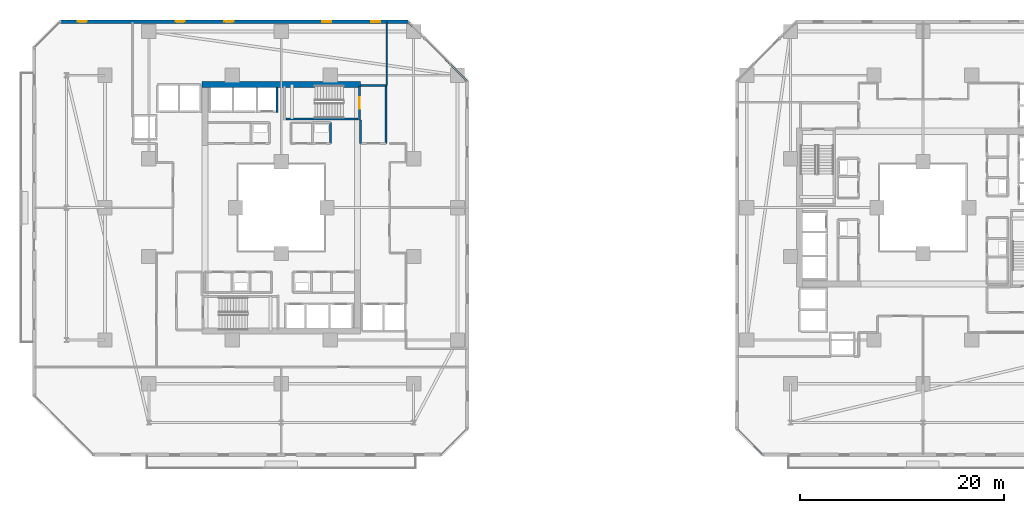
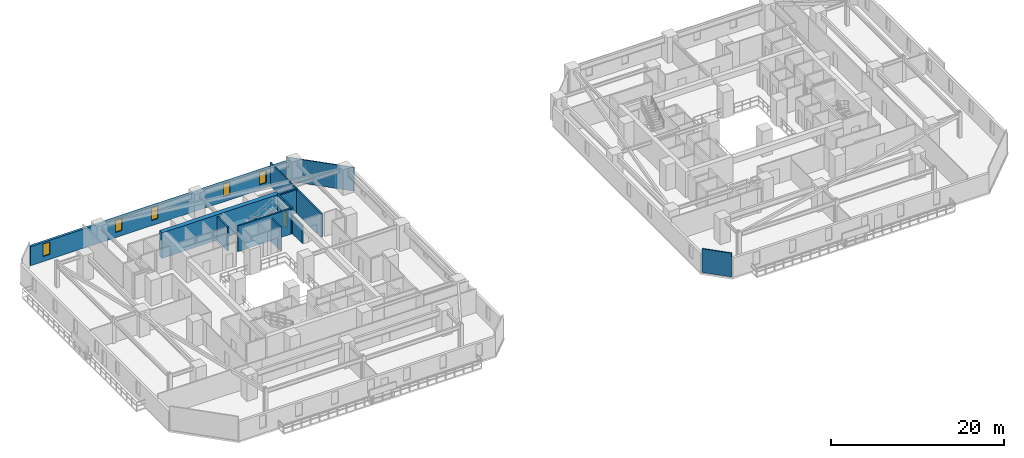
# One storey, part 21 of 33: 12 walls, 5 windows, 1 door, 6 openings.
"""IFC4 building model written with IfcOpenShell, lengths in metres."""

from ifc_helpers import new_model, si_unit, direction, frame, frame_2d, origin, place, context, subcontext, project, spatial, rectangle, extrude, material, layer, layer_set, type_object, element, fill, save


model = new_model("IFC4")

# Units and contexts
model_context = context("Model", 3, precision=1e-05, world=origin(), true_north=direction((0.0, 1.0)))
body_context = subcontext(model_context, "Body", "Model", "MODEL_VIEW")
ifc_project = project(units=[si_unit("LENGTHUNIT", "METRE"), si_unit("AREAUNIT", "SQUARE_METRE"), si_unit("VOLUMEUNIT", "CUBIC_METRE"), si_unit("PLANEANGLEUNIT", "RADIAN"), si_unit("MASSUNIT", "GRAM", prefix="KILO")], contexts=[model_context])

# Site, building, storey
site_placement = place(None, origin())
site = spatial("IfcSite", under=ifc_project, at=site_placement, CompositionType="ELEMENT")
building_placement = place(site_placement, origin())
building = spatial("IfcBuilding", under=site, at=building_placement, Name="Thornwick Lancets Civic Towers", CompositionType="ELEMENT")
storey_placement = place(building_placement, frame((0.0, 0.0, 31.5)))
storey = spatial("IfcBuildingStorey", under=building, at=storey_placement, Name="L07", CompositionType="ELEMENT", Elevation=31.5)

# Walls
ifc_material_1 = material(Name="Concrete blockwork C40/50", Category="masonry")
ifc_layer_1 = layer(ifc_material_1, 0.199951171875, Name="Concrete blockwork C40/50")
ifc_layer_set_1 = layer_set([ifc_layer_1], Name="Concrete blockwork C40/50")
wall_type_1 = type_object("IfcWallType", Name="WALL_COMP_200", PredefinedType="STANDARD", material=ifc_layer_set_1)
wall_1_placement = place(storey_placement, frame((25.10009765625, 36.35205078125, 0.0), z_axis=(0.0, 0.0, 1.0), x_axis=(0.0, 1.0, 0.0)))
element("IfcWall", 1, at=wall_1_placement, inside=storey, type_object=wall_type_1, Name="L07 Hoistway Shaft Wall FL-A2 E", PredefinedType="STANDARD", context=body_context, shape_type="SweptSolid", body=[
    extrude(rectangle(XDim=2.43603515625, YDim=0.199951171875, at=frame_2d((1.218017578125, 0.0))), origin(), (0.0, 0.0, 1.0), 3.340087890625),
])
wall_2_placement = place(storey_placement, frame((35.800048828125, 33.300048828125, 0.0), z_axis=(0.0, 0.0, 1.0), x_axis=(0.0, 1.0, 0.0)))
element("IfcWall", 2, at=wall_2_placement, inside=storey, type_object=wall_type_1, Name="L07 Partition L07-A-FFLOB2 E2", PredefinedType="STANDARD", context=body_context, shape_type="SweptSolid", body=[
    extrude(rectangle(XDim=5.699951171875, YDim=0.199951171875, at=frame_2d((2.85009765625, 0.0))), origin(), (0.0, 0.0, 1.0), 3.340087890625),
])
wall_3_placement = place(storey_placement, frame((35.800048828125, 39.0, 0.0), z_axis=(0.0, 0.0, 1.0), x_axis=(-1.0, 0.0, 0.0)))
element("IfcWall", 3, at=wall_3_placement, inside=storey, type_object=wall_type_1, Name="L07 Partition L07-A-FFLOB2 E3", PredefinedType="STANDARD", context=body_context, shape_type="SweptSolid", body=[
    extrude(rectangle(XDim=2.5, YDim=0.199951171875, at=frame_2d((1.25, 0.0))), origin(), (0.0, 0.0, 1.0), 3.340087890625),
])
wall_4_placement = place(storey_placement, frame((33.300048828125, 35.60009765625, 0.0), z_axis=(0.0, 0.0, 1.0), x_axis=(0.0, -1.0, 0.0)))
element("IfcWall", 4, at=wall_4_placement, inside=storey, type_object=wall_type_1, Name="L07 Partition L07-A-FFLOB2 E4", PredefinedType="STANDARD", context=body_context, shape_type="SweptSolid", body=[
    extrude(rectangle(XDim=2.300048828125, YDim=0.199951171875, at=frame_2d((1.14990234375, 0.0))), origin(), (0.0, 0.0, 1.0), 2.544921875),
])
wall_5_placement = place(storey_placement, frame((30.35009765625, 33.300048828125, 0.0), z_axis=(0.0, 0.0, 1.0), x_axis=(0.0, 1.0, 0.0)))
element("IfcWall", 5, at=wall_5_placement, inside=storey, type_object=wall_type_1, Name="L07 Partition L07-A-RISER2 E2", PredefinedType="STANDARD", context=body_context, shape_type="SweptSolid", body=[
    extrude(rectangle(XDim=2.050048828125, YDim=0.199951171875, at=frame_2d((1.02490234375, 0.0))), origin(), (0.0, 0.0, 1.0), 3.340087890625),
])
ifc_material_2 = material(Name="Concrete C60/75", Category="concrete")
ifc_layer_2 = layer(ifc_material_2, 0.60009765625, Name="Concrete C60/75")
ifc_layer_set_2 = layer_set([ifc_layer_2], Name="Concrete C60/75")
wall_type_2 = type_object("IfcWallType", Name="WALL_CORE_600", PredefinedType="SHEAR", material=ifc_layer_set_2)
wall_6_placement = place(storey_placement, frame((17.699951171875, 39.10009765625, 0.0), z_axis=(0.0, 0.0, 1.0), x_axis=(1.0, 0.0, 0.0)))
element("IfcWall", 6, at=wall_6_placement, inside=storey, type_object=wall_type_2, Name="L07 Split Core A2 Shear Wall N", PredefinedType="SHEAR", context=body_context, shape_type="SweptSolid", body=[
    extrude(rectangle(XDim=15.60009765625, YDim=0.60009765625, at=frame_2d((7.800048828125, 0.0))), origin(), (0.0, 0.0, 1.0), 3.60009765625),
])

# Wall, openings, windows
ifc_material_3 = material(Name="Insulated buff terracotta rainscreen on concrete C40/50", Category="masonry")
ifc_layer_3 = layer(ifc_material_3, 0.320068359375, Name="Insulated buff terracotta rainscreen on concrete C40/50")
ifc_layer_set_3 = layer_set([ifc_layer_3], Name="Insulated buff terracotta rainscreen on concrete C40/50")
wall_type_3 = type_object("IfcWallType", Name="WALL_EXT_TERRA_320", PredefinedType="STANDARD", material=ifc_layer_set_3)
wall_7_placement = place(storey_placement, frame((37.92138671875, 45.25439453125, 0.0), z_axis=(0.0, 0.0, 1.0), x_axis=(-0.999999952618, 0.000307837676, 0.0)))
wall_7 = element("IfcWall", 7, at=wall_7_placement, inside=storey, type_object=wall_type_3, Name="L07 Tower A Terracotta Facade Wall E4", PredefinedType="STANDARD", context=body_context, shape_type="SweptSolid", body=[
    extrude(rectangle(XDim=34.1025390625, YDim=0.320068359375, at=frame_2d((17.05126953125, 0.0))), origin(), (0.0, 0.0, 1.0), 2.699951171875),
])
opening_1_placement = place(wall_7_placement, frame((2.699951171875, 0.0, 0.719970703125)))
opening_1 = element("IfcOpeningElement", 8, at=opening_1_placement, cuts=wall_7, Name="Opening WL-01", PredefinedType="OPENING", context=body_context, shape_type="SweptSolid", body=[
    extrude(rectangle(XDim=0.89990234375, YDim=1.75, at=frame_2d((0.449951171875, 0.875))), frame((0.0, 0.169921875, 0.0), z_axis=(0.0, -1.0, 0.0), x_axis=(1.0, 0.0, 0.0)), (0.0, 0.0, 1.0), 0.340087890625),
])
opening_2_placement = place(wall_7_placement, frame((7.5, 0.0, 0.719970703125)))
opening_2 = element("IfcOpeningElement", 9, at=opening_2_placement, cuts=wall_7, Name="Opening WL-01", PredefinedType="OPENING", context=body_context, shape_type="SweptSolid", body=[
    extrude(rectangle(XDim=0.89990234375, YDim=1.75, at=frame_2d((0.449951171875, 0.875))), frame((0.0, 0.169921875, 0.0), z_axis=(0.0, -1.0, 0.0), x_axis=(1.0, 0.0, 0.0)), (0.0, 0.0, 1.0), 0.340087890625),
])
opening_3_placement = place(wall_7_placement, frame((17.10009765625, 0.0, 0.719970703125)))
opening_3 = element("IfcOpeningElement", 10, at=opening_3_placement, cuts=wall_7, Name="Opening WL-01", PredefinedType="OPENING", context=body_context, shape_type="SweptSolid", body=[
    extrude(rectangle(XDim=0.89990234375, YDim=1.75, at=frame_2d((0.449951171875, 0.875))), frame((0.0, 0.169921875, 0.0), z_axis=(0.0, -1.0, 0.0), x_axis=(1.0, 0.0, 0.0)), (0.0, 0.0, 1.0), 0.340087890625),
])
opening_4_placement = place(wall_7_placement, frame((21.89990234375, 0.0, 0.719970703125)))
opening_4 = element("IfcOpeningElement", 11, at=opening_4_placement, cuts=wall_7, Name="Opening WL-01", PredefinedType="OPENING", context=body_context, shape_type="SweptSolid", body=[
    extrude(rectangle(XDim=0.89990234375, YDim=1.75, at=frame_2d((0.449951171875, 0.875))), frame((0.0, 0.169921875, 0.0), z_axis=(0.0, -1.0, 0.0), x_axis=(1.0, 0.0, 0.0)), (0.0, 0.0, 1.0), 0.340087890625),
])
opening_5_placement = place(wall_7_placement, frame((31.5, 0.0, 0.719970703125)))
opening_5 = element("IfcOpeningElement", 12, at=opening_5_placement, cuts=wall_7, Name="Opening WL-01", PredefinedType="OPENING", context=body_context, shape_type="SweptSolid", body=[
    extrude(rectangle(XDim=0.89990234375, YDim=1.75, at=frame_2d((0.449951171875, 0.875))), frame((0.0, 0.169921875, 0.0), z_axis=(0.0, -1.0, 0.0), x_axis=(1.0, 0.0, 0.0)), (0.0, 0.0, 1.0), 0.340087890625),
])
ifc_material_4 = material(Name="Clear low-e double glazing in bronze frame", Category="glass")
window_type = type_object("IfcWindowType", Name="WIN_LANCET_900", PartitioningType="SINGLE_PANEL", PredefinedType="WINDOW", material=ifc_material_4)
window_1_placement = place(opening_1_placement, origin())
window_1 = element("IfcWindow", 13, at=window_1_placement, inside=storey, type_object=window_type, Name="L07 Tower A Staggered Lancet Window E4-1", OverallHeight=1.75, OverallWidth=0.89990234375, PartitioningType="SINGLE_PANEL", PredefinedType="WINDOW", context=body_context, shape_type="SweptSolid", body=[
    extrude(rectangle(XDim=0.89990234375, YDim=1.75, at=frame_2d((0.449951171875, 0.875))), frame((0.0, 0.030029296875, 0.0), z_axis=(0.0, -1.0, 0.0), x_axis=(1.0, 0.0, 0.0)), (0.0, 0.0, 1.0), 0.06005859375),
])
fill(opening_1, window_1)
window_2_placement = place(opening_2_placement, origin())
window_2 = element("IfcWindow", 14, at=window_2_placement, inside=storey, type_object=window_type, Name="L07 Tower A Staggered Lancet Window E4-2", OverallHeight=1.75, OverallWidth=0.89990234375, PartitioningType="SINGLE_PANEL", PredefinedType="WINDOW", context=body_context, shape_type="SweptSolid", body=[
    extrude(rectangle(XDim=0.89990234375, YDim=1.75, at=frame_2d((0.449951171875, 0.875))), frame((0.0, 0.030029296875, 0.0), z_axis=(0.0, -1.0, 0.0), x_axis=(1.0, 0.0, 0.0)), (0.0, 0.0, 1.0), 0.06005859375),
])
fill(opening_2, window_2)
window_3_placement = place(opening_3_placement, origin())
window_3 = element("IfcWindow", 15, at=window_3_placement, inside=storey, type_object=window_type, Name="L07 Tower A Staggered Lancet Window E4-3", OverallHeight=1.75, OverallWidth=0.89990234375, PartitioningType="SINGLE_PANEL", PredefinedType="WINDOW", context=body_context, shape_type="SweptSolid", body=[
    extrude(rectangle(XDim=0.89990234375, YDim=1.75, at=frame_2d((0.449951171875, 0.875))), frame((0.0, 0.030029296875, 0.0), z_axis=(0.0, -1.0, 0.0), x_axis=(1.0, 0.0, 0.0)), (0.0, 0.0, 1.0), 0.06005859375),
])
fill(opening_3, window_3)
window_4_placement = place(opening_4_placement, origin())
window_4 = element("IfcWindow", 16, at=window_4_placement, inside=storey, type_object=window_type, Name="L07 Tower A Staggered Lancet Window E4-4", OverallHeight=1.75, OverallWidth=0.89990234375, PartitioningType="SINGLE_PANEL", PredefinedType="WINDOW", context=body_context, shape_type="SweptSolid", body=[
    extrude(rectangle(XDim=0.89990234375, YDim=1.75, at=frame_2d((0.449951171875, 0.875))), frame((0.0, 0.030029296875, 0.0), z_axis=(0.0, -1.0, 0.0), x_axis=(1.0, 0.0, 0.0)), (0.0, 0.0, 1.0), 0.06005859375),
])
fill(opening_4, window_4)
window_5_placement = place(opening_5_placement, origin())
window_5 = element("IfcWindow", 17, at=window_5_placement, inside=storey, type_object=window_type, Name="L07 Tower A Staggered Lancet Window E4-5", OverallHeight=1.75, OverallWidth=0.89990234375, PartitioningType="SINGLE_PANEL", PredefinedType="WINDOW", context=body_context, shape_type="SweptSolid", body=[
    extrude(rectangle(XDim=0.89990234375, YDim=1.75, at=frame_2d((0.449951171875, 0.875))), frame((0.0, 0.030029296875, 0.0), z_axis=(0.0, -1.0, 0.0), x_axis=(1.0, 0.0, 0.0)), (0.0, 0.0, 1.0), 0.06005859375),
])
fill(opening_5, window_5)

# Walls
ifc_material_5 = material(Name="Acoustic gypsum board partition")
ifc_layer_4 = layer(ifc_material_5, 0.1201171875, Name="Acoustic gypsum board partition")
ifc_layer_set_4 = layer_set([ifc_layer_4], Name="Acoustic gypsum board partition")
wall_type_4 = type_object("IfcWallType", Name="WALL_PART_120", PredefinedType="PARTITIONING", material=ifc_layer_set_4)
wall_8_placement = place(storey_placement, frame((35.85009765625, 39.0, 0.0), z_axis=(0.0, 0.0, 1.0), x_axis=(0.0, 1.0, 0.0)))
element("IfcWall", 18, at=wall_8_placement, inside=storey, type_object=wall_type_4, Name="L07 Partition L07-A-E2 E5", PredefinedType="PARTITIONING", context=body_context, shape_type="SweptSolid", body=[
    extrude(rectangle(XDim=6.219970703125, YDim=0.1201171875, at=frame_2d((3.10986328125, 0.0))), origin(), (0.0, 0.0, 1.0), 3.340087890625),
])
wall_9_placement = place(storey_placement, frame((37.952392578125, 45.219970703125, 0.0), z_axis=(0.0, 0.0, 1.0), x_axis=(0.707106781187, -0.707106781187, 0.0)))
element("IfcWall", 19, at=wall_9_placement, inside=storey, type_object=wall_type_4, Name="L07 Partition L07-A-E2 E7", PredefinedType="PARTITIONING", context=body_context, shape_type="SweptSolid", body=[
    extrude(rectangle(XDim=8.156494140625, YDim=0.1201171875, at=frame_2d((4.078125, 0.0))), origin(), (0.0, 0.0, 1.0), 3.340087890625),
])
ifc_material_6 = material(Name="Twin-stud acoustic gypsum board")
ifc_layer_5 = layer(ifc_material_6, 0.14990234375, Name="Twin-stud acoustic gypsum board")
ifc_layer_set_5 = layer_set([ifc_layer_5], Name="Twin-stud acoustic gypsum board")
wall_type_5 = type_object("IfcWallType", Name="WALL_PART_150", PredefinedType="PARTITIONING", material=ifc_layer_set_5)
wall_10_placement = place(storey_placement, frame((72.774658203125, 2.780029296875, 0.0), z_axis=(0.0, 0.0, 1.0), x_axis=(-0.707106781187, 0.707106781187, 0.0)))
element("IfcWall", 20, at=wall_10_placement, inside=storey, type_object=wall_type_5, Name="L07 Partition L07-B-W2 E7", PredefinedType="PARTITIONING", context=body_context, shape_type="SweptSolid", body=[
    extrude(rectangle(XDim=3.52783203125, YDim=0.14990234375, at=frame_2d((1.763916015625, 0.0))), origin(), (0.0, 0.0, 1.0), 3.340087890625),
])

# Wall, opening, door
ifc_material_7 = material(Name="Concrete C40/50", Category="concrete")
ifc_layer_6 = layer(ifc_material_7, 0.199951171875, Name="Concrete C40/50")
ifc_layer_set_6 = layer_set([ifc_layer_6], Name="Concrete C40/50")
wall_type_6 = type_object("IfcWallType", Name="WALL_SHAFT_200", PredefinedType="SHEAR", material=ifc_layer_set_6)
wall_11_placement = place(storey_placement, frame((33.199951171875, 38.949951171875, 0.0), z_axis=(0.0, 0.0, 1.0), x_axis=(0.0, -1.0, 0.0)))
wall_11 = element("IfcWall", 21, at=wall_11_placement, inside=storey, type_object=wall_type_6, Name="L07 ST-A2 Fire Stair Core Wall NEAR", PredefinedType="SHEAR", context=body_context, shape_type="SweptSolid", body=[
    extrude(rectangle(XDim=3.349853515625, YDim=0.199951171875, at=frame_2d((1.6748046875, 0.0))), origin(), (0.0, 0.0, 1.0), 3.60009765625),
])
opening_6_placement = place(wall_11_placement, frame((1.125, 0.0, 0.0)))
opening_6 = element("IfcOpeningElement", 22, at=opening_6_placement, cuts=wall_11, Name="Opening D-ST-A2-L07", PredefinedType="OPENING", context=body_context, shape_type="SweptSolid", body=[
    extrude(rectangle(XDim=1.10009765625, YDim=2.10009765625, at=frame_2d((0.550048828125, 1.050048828125))), frame((0.0, 0.10986328125, 0.0), z_axis=(0.0, -1.0, 0.0), x_axis=(1.0, 0.0, 0.0)), (0.0, 0.0, 1.0), 0.219970703125),
])
ifc_material_8 = material(Name="Fire-resisting steel and hardwood", Category="steel")
door_type = type_object("IfcDoorType", Name="DOOR_STAIR_FD60", OperationType="NOTDEFINED", PredefinedType="DOOR", material=ifc_material_8)
door_placement = place(opening_6_placement, origin())
door = element("IfcDoor", 23, at=door_placement, inside=storey, type_object=door_type, Name="L07 ST-A2 Exit Stair Door", OperationType="SINGLE_SWING_LEFT", OverallHeight=2.10009765625, OverallWidth=1.10009765625, PredefinedType="DOOR", context=body_context, shape_type="SweptSolid", body=[
    extrude(rectangle(XDim=1.10009765625, YDim=2.10009765625, at=frame_2d((0.550048828125, 1.050048828125))), frame((0.0, 0.02490234375, 0.0), z_axis=(0.0, -1.0, 0.0), x_axis=(1.0, 0.0, 0.0)), (0.0, 0.0, 1.0), 0.050048828125),
])
fill(opening_6, door)

# Wall
wall_12_placement = place(storey_placement, frame((25.949951171875, 35.702880859375, 0.0), z_axis=(0.0, 0.0, 1.0), x_axis=(1.0, 0.0, 0.0)))
element("IfcWall", 24, at=wall_12_placement, inside=storey, type_object=wall_type_6, Name="L07 ST-A2 Fire Stair Core Wall RIGHT", PredefinedType="SHEAR", context=body_context, shape_type="SweptSolid", body=[
    extrude(rectangle(XDim=7.10009765625, YDim=0.199951171875, at=frame_2d((3.550048828125, 0.0))), origin(), (0.0, 0.0, 1.0), 3.60009765625),
])

save(model, "model.ifc")
